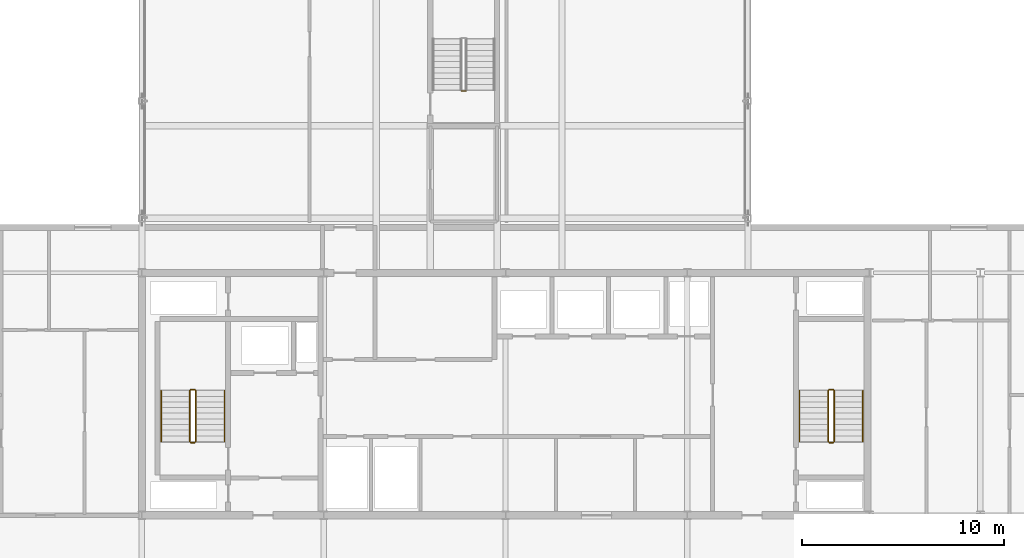
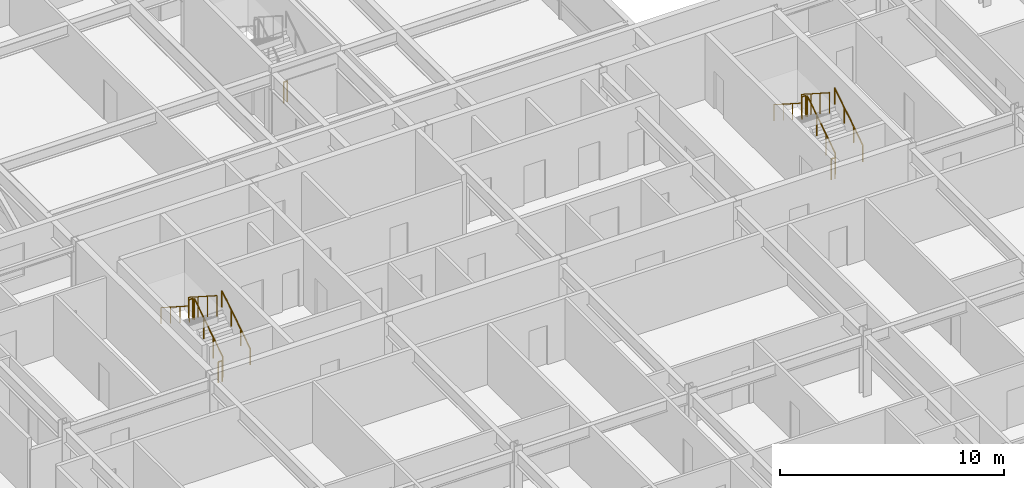
# One storey, part 32 of 36: 13 railings.
"""IFC4 building model written with IfcOpenShell, lengths in metres."""

from ifc_helpers import new_model, si_unit, direction, frame, origin, origin_2d, place, context, subcontext, project, spatial, circle, extrude, material, type_object, element, save


model = new_model("IFC4")

# Units and contexts
model_context = context("Model", 3, precision=1e-05, world=origin(), true_north=direction((0.0, 1.0)))
body_context = subcontext(model_context, "Body", "Model", "MODEL_VIEW")
ifc_project = project(units=[si_unit("LENGTHUNIT", "METRE"), si_unit("AREAUNIT", "SQUARE_METRE"), si_unit("VOLUMEUNIT", "CUBIC_METRE"), si_unit("PLANEANGLEUNIT", "RADIAN"), si_unit("MASSUNIT", "GRAM", prefix="KILO")], contexts=[model_context])

# Site, building, storey
site_placement = place(None, origin())
site = spatial("IfcSite", under=ifc_project, at=site_placement, CompositionType="ELEMENT")
building_placement = place(site_placement, origin())
building = spatial("IfcBuilding", under=site, at=building_placement, Name="Korimba Cascade Residences", CompositionType="ELEMENT")
storey_placement = place(building_placement, frame((0.0, 0.0, 142.89990234375)))
storey = spatial("IfcBuildingStorey", under=building, at=storey_placement, Name="L41", CompositionType="ELEMENT", Elevation=142.89990234375)

# Railings
ifc_material_1 = material(Name="Painted Steel Stairwell Guardrail", Category="steel")
railing_type_1 = type_object("IfcRailingType", Name="RLG-ST-GD1150", PredefinedType="GUARDRAIL", material=ifc_material_1)
railing_1_placement = place(storey_placement, frame((84.77001953125, 22.050048828125, 0.18017578125)))
element("IfcRailing", 1, at=railing_1_placement, inside=storey, type_object=railing_type_1, Name="L41 ST-E1 stair guard 1", PredefinedType="GUARDRAIL", context=body_context, shape_type="SweptSolid", body=[
    extrude(circle(Radius=0.02392578125, at=origin_2d()), frame((0.0, 0.0, 1.1259765625), z_axis=(0.0, 0.841199657755, 0.540724639528), x_axis=(-1.0, 0.0, 0.0)), (0.0, 0.0, 1.0), 2.995849609375),
    extrude(circle(Radius=0.02099609375, at=origin_2d()), origin(), (0.0, 0.0, 1.0), 1.101806640625),
    extrude(circle(Radius=0.02099609375, at=origin_2d()), frame((0.0, 0.840087890625, 0.5400390625)), (0.0, 0.0, 1.0), 1.101806640625),
    extrude(circle(Radius=0.02099609375, at=origin_2d()), frame((0.0, 1.679931640625, 1.079833984375)), (0.0, 0.0, 1.0), 1.101806640625),
    extrude(circle(Radius=0.02099609375, at=origin_2d()), frame((0.0, 2.52001953125, 1.619873046875)), (0.0, 0.0, 1.0), 1.101806640625),
])
railing_2_placement = place(storey_placement, frame((84.719970703125, 24.6201171875, 1.800048828125)))
element("IfcRailing", 2, at=railing_2_placement, inside=storey, type_object=railing_type_1, Name="L41 ST-E1 stair guard 2", PredefinedType="GUARDRAIL", context=body_context, shape_type="SweptSolid", body=[
    extrude(circle(Radius=0.02392578125, at=origin_2d()), frame((0.0, 0.0, 1.1259765625), z_axis=(-1.0, 0.0, 0.0), x_axis=(0.0, -1.0, 0.0)), (0.0, 0.0, 1.0), 0.199951171875),
    extrude(circle(Radius=0.02099609375, at=origin_2d()), origin(), (0.0, 0.0, 1.0), 1.101806640625),
    extrude(circle(Radius=0.02099609375, at=origin_2d()), frame((-0.199951171875, 0.0, 0.0)), (0.0, 0.0, 1.0), 1.101806640625),
])
railing_3_placement = place(storey_placement, frame((84.469970703125, 24.570068359375, 1.97998046875)))
element("IfcRailing", 3, at=railing_3_placement, inside=storey, type_object=railing_type_1, Name="L41 ST-E1 stair guard 3", PredefinedType="GUARDRAIL", context=body_context, shape_type="SweptSolid", body=[
    extrude(circle(Radius=0.02392578125, at=origin_2d()), frame((0.0, 0.0, 1.1259765625), z_axis=(0.0, -0.841162588446, 0.540782303519), x_axis=(1.0, 0.0, 0.0)), (0.0, 0.0, 1.0), 2.995849609375),
    extrude(circle(Radius=0.02099609375, at=origin_2d()), origin(), (0.0, 0.0, 1.0), 1.101806640625),
    extrude(circle(Radius=0.02099609375, at=origin_2d()), frame((0.0, -0.840087890625, 0.5400390625)), (0.0, 0.0, 1.0), 1.101806640625),
    extrude(circle(Radius=0.02099609375, at=origin_2d()), frame((0.0, -1.679931640625, 1.080078125)), (0.0, 0.0, 1.0), 1.101806640625),
    extrude(circle(Radius=0.02099609375, at=origin_2d()), frame((0.0, -2.52001953125, 1.6201171875)), (0.0, 0.0, 1.0), 1.101806640625),
])
railing_4_placement = place(storey_placement, frame((84.719970703125, 22.0, 0.0)))
element("IfcRailing", 4, at=railing_4_placement, inside=storey, type_object=railing_type_1, Name="L41 ST-E1 stair guard 4", PredefinedType="GUARDRAIL", context=body_context, shape_type="SweptSolid", body=[
    extrude(circle(Radius=0.02392578125, at=origin_2d()), frame((0.0, 0.0, 1.1259765625), z_axis=(-1.0, 0.0, 0.0), x_axis=(0.0, -1.0, 0.0)), (0.0, 0.0, 1.0), 0.199951171875),
    extrude(circle(Radius=0.02099609375, at=origin_2d()), origin(), (0.0, 0.0, 1.0), 1.101806640625),
    extrude(circle(Radius=0.02099609375, at=origin_2d()), frame((-0.199951171875, 0.0, 0.0)), (0.0, 0.0, 1.0), 1.101806640625),
])
railing_5_placement = place(storey_placement, frame((116.3701171875, 22.050048828125, 0.18017578125)))
element("IfcRailing", 5, at=railing_5_placement, inside=storey, type_object=railing_type_1, Name="L41 ST-E2 stair guard 1", PredefinedType="GUARDRAIL", context=body_context, shape_type="SweptSolid", body=[
    extrude(circle(Radius=0.02392578125, at=origin_2d()), frame((0.0, 0.0, 1.1259765625), z_axis=(0.0, 0.841199657755, 0.540724639528), x_axis=(-1.0, 0.0, 0.0)), (0.0, 0.0, 1.0), 2.995849609375),
    extrude(circle(Radius=0.02099609375, at=origin_2d()), origin(), (0.0, 0.0, 1.0), 1.101806640625),
    extrude(circle(Radius=0.02099609375, at=origin_2d()), frame((0.0, 0.840087890625, 0.5400390625)), (0.0, 0.0, 1.0), 1.101806640625),
    extrude(circle(Radius=0.02099609375, at=origin_2d()), frame((0.0, 1.679931640625, 1.079833984375)), (0.0, 0.0, 1.0), 1.101806640625),
    extrude(circle(Radius=0.02099609375, at=origin_2d()), frame((0.0, 2.52001953125, 1.619873046875)), (0.0, 0.0, 1.0), 1.101806640625),
])
railing_6_placement = place(storey_placement, frame((116.320068359375, 24.6201171875, 1.800048828125)))
element("IfcRailing", 6, at=railing_6_placement, inside=storey, type_object=railing_type_1, Name="L41 ST-E2 stair guard 2", PredefinedType="GUARDRAIL", context=body_context, shape_type="SweptSolid", body=[
    extrude(circle(Radius=0.02392578125, at=origin_2d()), frame((0.0, 0.0, 1.1259765625), z_axis=(-1.0, 0.0, 0.0), x_axis=(0.0, -1.0, 0.0)), (0.0, 0.0, 1.0), 0.199951171875),
    extrude(circle(Radius=0.02099609375, at=origin_2d()), origin(), (0.0, 0.0, 1.0), 1.101806640625),
    extrude(circle(Radius=0.02099609375, at=origin_2d()), frame((-0.199951171875, 0.0, 0.0)), (0.0, 0.0, 1.0), 1.101806640625),
])
railing_7_placement = place(storey_placement, frame((116.070068359375, 24.570068359375, 1.97998046875)))
element("IfcRailing", 7, at=railing_7_placement, inside=storey, type_object=railing_type_1, Name="L41 ST-E2 stair guard 3", PredefinedType="GUARDRAIL", context=body_context, shape_type="SweptSolid", body=[
    extrude(circle(Radius=0.02392578125, at=origin_2d()), frame((0.0, 0.0, 1.1259765625), z_axis=(0.0, -0.841162588446, 0.540782303519), x_axis=(1.0, 0.0, 0.0)), (0.0, 0.0, 1.0), 2.995849609375),
    extrude(circle(Radius=0.02099609375, at=origin_2d()), origin(), (0.0, 0.0, 1.0), 1.101806640625),
    extrude(circle(Radius=0.02099609375, at=origin_2d()), frame((0.0, -0.840087890625, 0.5400390625)), (0.0, 0.0, 1.0), 1.101806640625),
    extrude(circle(Radius=0.02099609375, at=origin_2d()), frame((0.0, -1.679931640625, 1.080078125)), (0.0, 0.0, 1.0), 1.101806640625),
    extrude(circle(Radius=0.02099609375, at=origin_2d()), frame((0.0, -2.52001953125, 1.6201171875)), (0.0, 0.0, 1.0), 1.101806640625),
])
for number, where, name in (
    (8, (116.320068359375, 22.0, 0.0), "L41 ST-E2 stair guard 4"),
    (9, (98.1298828125, 39.39990234375, 0.0), "L41 ST-BR1 stair guard 4"),
):
    element("IfcRailing", number, at=place(storey_placement, frame(where)), inside=storey, type_object=railing_type_1, Name=name, PredefinedType="GUARDRAIL", context=body_context, shape_type="SweptSolid", body=[
        extrude(circle(Radius=0.02392578125, at=origin_2d()), frame((0.0, 0.0, 1.1259765625), z_axis=(-1.0, 0.0, 0.0), x_axis=(0.0, -1.0, 0.0)), (0.0, 0.0, 1.0), 0.199951171875),
        extrude(circle(Radius=0.02099609375, at=origin_2d()), origin(), (0.0, 0.0, 1.0), 1.101806640625),
        extrude(circle(Radius=0.02099609375, at=origin_2d()), frame((-0.199951171875, 0.0, 0.0)), (0.0, 0.0, 1.0), 1.101806640625),
    ])
ifc_material_2 = material(Name="Brushed Stainless Steel Handrail", Category="steel")
railing_type_2 = type_object("IfcRailingType", Name="RLG-ST-HR900", PredefinedType="HANDRAIL", material=ifc_material_2)
railing_8_placement = place(storey_placement, frame((86.18994140625, 22.050048828125, 0.364013671875)))
element("IfcRailing", 10, at=railing_8_placement, inside=storey, type_object=railing_type_2, Name="L41 ST-E1 stair handrail 1", PredefinedType="HANDRAIL", context=body_context, shape_type="SweptSolid", body=[
    extrude(circle(Radius=0.02392578125, at=origin_2d()), frame((0.0, 0.0, 0.8759765625), z_axis=(0.0, 0.841199657755, 0.540724639528), x_axis=(-1.0, 0.0, 0.0)), (0.0, 0.0, 1.0), 2.995849609375),
    extrude(circle(Radius=0.02099609375, at=origin_2d()), origin(), (0.0, 0.0, 1.0), 0.851806640625),
    extrude(circle(Radius=0.02099609375, at=origin_2d()), frame((0.0, 0.840087890625, 0.5400390625)), (0.0, 0.0, 1.0), 0.851806640625),
    extrude(circle(Radius=0.02099609375, at=origin_2d()), frame((0.0, 1.679931640625, 1.079833984375)), (0.0, 0.0, 1.0), 0.851806640625),
    extrude(circle(Radius=0.02099609375, at=origin_2d()), frame((0.0, 2.52001953125, 1.619873046875)), (0.0, 0.0, 1.0), 0.851806640625),
])
railing_9_placement = place(storey_placement, frame((83.050048828125, 24.570068359375, 2.163818359375)))
element("IfcRailing", 11, at=railing_9_placement, inside=storey, type_object=railing_type_2, Name="L41 ST-E1 stair handrail 2", PredefinedType="HANDRAIL", context=body_context, shape_type="SweptSolid", body=[
    extrude(circle(Radius=0.02392578125, at=origin_2d()), frame((0.0, 0.0, 0.8759765625), z_axis=(0.0, -0.841162588446, 0.540782303519), x_axis=(1.0, 0.0, 0.0)), (0.0, 0.0, 1.0), 2.995849609375),
    extrude(circle(Radius=0.02099609375, at=origin_2d()), origin(), (0.0, 0.0, 1.0), 0.851806640625),
    extrude(circle(Radius=0.02099609375, at=origin_2d()), frame((0.0, -0.840087890625, 0.5400390625)), (0.0, 0.0, 1.0), 0.851806640625),
    extrude(circle(Radius=0.02099609375, at=origin_2d()), frame((0.0, -1.679931640625, 1.080078125)), (0.0, 0.0, 1.0), 0.851806640625),
    extrude(circle(Radius=0.02099609375, at=origin_2d()), frame((0.0, -2.52001953125, 1.6201171875)), (0.0, 0.0, 1.0), 0.851806640625),
])
railing_10_placement = place(storey_placement, frame((117.7900390625, 22.050048828125, 0.364013671875)))
element("IfcRailing", 12, at=railing_10_placement, inside=storey, type_object=railing_type_2, Name="L41 ST-E2 stair handrail 1", PredefinedType="HANDRAIL", context=body_context, shape_type="SweptSolid", body=[
    extrude(circle(Radius=0.02392578125, at=origin_2d()), frame((0.0, 0.0, 0.8759765625), z_axis=(0.0, 0.841199657755, 0.540724639528), x_axis=(-1.0, 0.0, 0.0)), (0.0, 0.0, 1.0), 2.995849609375),
    extrude(circle(Radius=0.02099609375, at=origin_2d()), origin(), (0.0, 0.0, 1.0), 0.851806640625),
    extrude(circle(Radius=0.02099609375, at=origin_2d()), frame((0.0, 0.840087890625, 0.5400390625)), (0.0, 0.0, 1.0), 0.851806640625),
    extrude(circle(Radius=0.02099609375, at=origin_2d()), frame((0.0, 1.679931640625, 1.079833984375)), (0.0, 0.0, 1.0), 0.851806640625),
    extrude(circle(Radius=0.02099609375, at=origin_2d()), frame((0.0, 2.52001953125, 1.619873046875)), (0.0, 0.0, 1.0), 0.851806640625),
])
railing_11_placement = place(storey_placement, frame((114.64990234375, 24.570068359375, 2.163818359375)))
element("IfcRailing", 13, at=railing_11_placement, inside=storey, type_object=railing_type_2, Name="L41 ST-E2 stair handrail 2", PredefinedType="HANDRAIL", context=body_context, shape_type="SweptSolid", body=[
    extrude(circle(Radius=0.02392578125, at=origin_2d()), frame((0.0, 0.0, 0.8759765625), z_axis=(0.0, -0.841162588446, 0.540782303519), x_axis=(1.0, 0.0, 0.0)), (0.0, 0.0, 1.0), 2.995849609375),
    extrude(circle(Radius=0.02099609375, at=origin_2d()), origin(), (0.0, 0.0, 1.0), 0.851806640625),
    extrude(circle(Radius=0.02099609375, at=origin_2d()), frame((0.0, -0.840087890625, 0.5400390625)), (0.0, 0.0, 1.0), 0.851806640625),
    extrude(circle(Radius=0.02099609375, at=origin_2d()), frame((0.0, -1.679931640625, 1.080078125)), (0.0, 0.0, 1.0), 0.851806640625),
    extrude(circle(Radius=0.02099609375, at=origin_2d()), frame((0.0, -2.52001953125, 1.6201171875)), (0.0, 0.0, 1.0), 0.851806640625),
])

save(model, "model.ifc")
